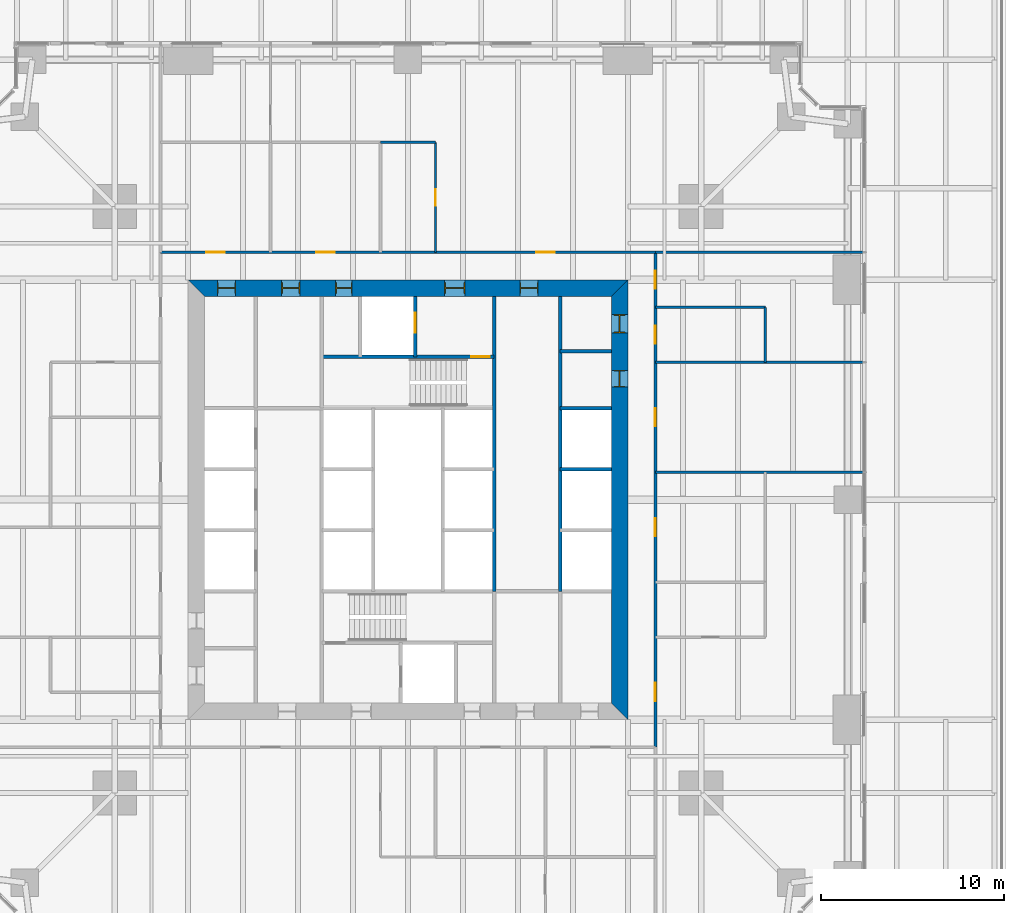
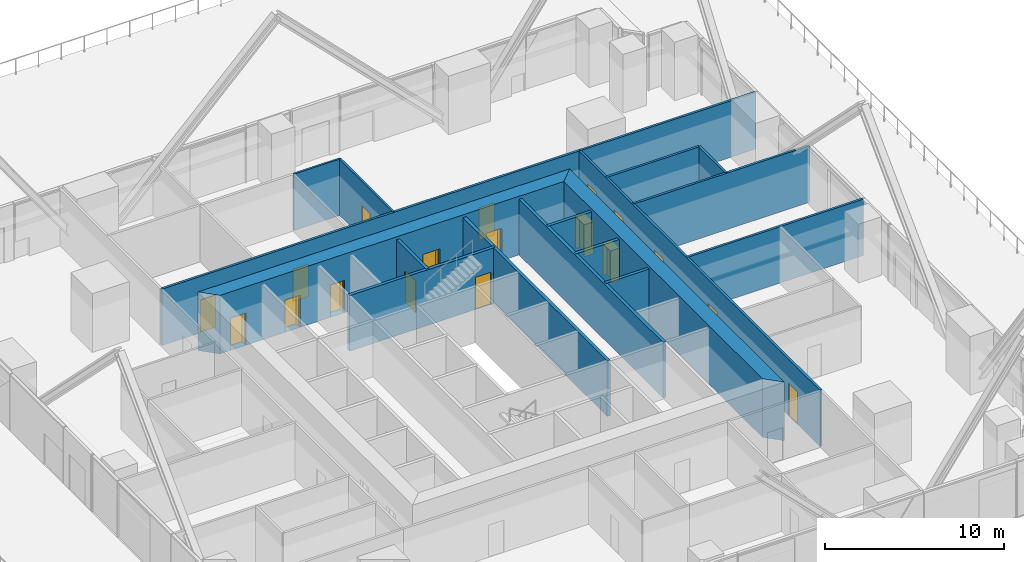
# One storey, part 17 of 21: 18 doors, 18 walls, 18 openings.
"""IFC4 building model written with IfcOpenShell, lengths in metres."""

from ifc_helpers import new_model, si_unit, direction, frame, frame_2d, origin, place, context, subcontext, project, spatial, polyline, rectangle, outline, extrude, material, layer, layer_set, type_object, element, fill, save


model = new_model("IFC4")

# Units and contexts
model_context = context("Model", 3, precision=1e-05, world=origin(), true_north=direction((0.0, 1.0)))
body_context = subcontext(model_context, "Body", "Model", "MODEL_VIEW")
ifc_project = project(units=[si_unit("LENGTHUNIT", "METRE"), si_unit("AREAUNIT", "SQUARE_METRE"), si_unit("VOLUMEUNIT", "CUBIC_METRE"), si_unit("PLANEANGLEUNIT", "RADIAN"), si_unit("MASSUNIT", "GRAM", prefix="KILO")], contexts=[model_context])

# Site, building, storey
site_placement = place(None, origin())
site = spatial("IfcSite", under=ifc_project, at=site_placement, CompositionType="ELEMENT")
building_placement = place(site_placement, origin())
building = spatial("IfcBuilding", under=site, at=building_placement, Name="Fenwick Lantern Interchange", CompositionType="ELEMENT")
storey_placement = place(building_placement, frame((0.0, 0.0, 31.0)))
storey = spatial("IfcBuildingStorey", under=building, at=storey_placement, Name="L06", CompositionType="ELEMENT", Elevation=31.0)

# Walls
ifc_material_1 = material(Name="Concrete masonry ASTM C90 Grade N", Category="masonry")
ifc_layer_1 = layer(ifc_material_1, 0.199951171875)
ifc_layer_set_1 = layer_set([ifc_layer_1], Name="Concrete masonry ASTM C90 Grade N")
wall_type_1 = type_object("IfcWallType", Name="CORE PARTITION 200", PredefinedType="PARTITIONING", material=ifc_layer_set_1)
wall_1_placement = place(storey_placement, frame((33.300048828125, 36.10009765625, 0.0), z_axis=(0.0, 0.0, 1.0), x_axis=(0.0, -1.0, 0.0)))
element("IfcWall", 1, at=wall_1_placement, inside=storey, type_object=wall_type_1, Name="L06/W/COREN/a", PredefinedType="PARTITIONING", context=body_context, shape_type="SweptSolid", body=[
    extrude(rectangle(XDim=16.10009765625, YDim=0.199951171875, at=frame_2d((8.050048828125, 0.0))), origin(), (0.0, 0.0, 1.0), 3.800048828125),
])
for number, where, z_axis, x_axis, name in (
    (2, (36.10009765625, 33.10009765625, 0.0), (0.0, 0.0, 1.0), (-1.0, 0.0, 0.0), "L06/W/COREN/c1"),
    (3, (36.10009765625, 30.0, 0.0), (0.0, 0.0, 1.0), (-1.0, 0.0, 0.0), "L06/W/COREN/c2"),
    (4, (36.10009765625, 26.666748046875, 0.0), (0.0, 0.0, 1.0), (-1.0, 0.0, 0.0), "L06/W/COREN/d1"),
):
    element("IfcWall", number, at=place(storey_placement, frame(where, z_axis=z_axis, x_axis=x_axis)), inside=storey, type_object=wall_type_1, Name=name, PredefinedType="PARTITIONING", context=body_context, shape_type="SweptSolid", body=[
        extrude(rectangle(XDim=2.800048828125, YDim=0.199951171875, at=frame_2d((1.39990234375, 0.0))), origin(), (0.0, 0.0, 1.0), 3.800048828125),
    ])

# Wall, opening, door
wall_2_placement = place(storey_placement, frame((25.39990234375, 36.10009765625, 0.0), z_axis=(0.0, 0.0, 1.0), x_axis=(0.0, -1.0, 0.0)))
wall_2 = element("IfcWall", 5, at=wall_2_placement, inside=storey, type_object=wall_type_1, Name="L06/W/COREN/h1", PredefinedType="PARTITIONING", context=body_context, shape_type="SweptSolid", body=[
    extrude(rectangle(XDim=3.300048828125, YDim=0.199951171875, at=frame_2d((1.64990234375, 0.0))), origin(), (0.0, 0.0, 1.0), 3.800048828125),
])
opening_1_placement = place(wall_2_placement, frame((0.89990234375, 0.0, 0.0)))
opening_1 = element("IfcOpeningElement", 6, at=opening_1_placement, cuts=wall_2, Name="Opening LD-FL2", PredefinedType="OPENING", context=body_context, shape_type="SweptSolid", body=[
    extrude(rectangle(XDim=1.10009765625, YDim=2.199951171875, at=frame_2d((0.550048828125, 1.10009765625))), frame((0.0, 0.10986328125, 0.0), z_axis=(0.0, -1.0, 0.0), x_axis=(1.0, 0.0, 0.0)), (0.0, 0.0, 1.0), 0.219970703125),
])
ifc_material_2 = material(Name="Steel door and frame", Category="steel")
door_type_1 = type_object("IfcDoorType", Name="LIFT LANDING DOOR 1100 X 2200", OperationType="DOUBLE_DOOR_SLIDING", PredefinedType="DOOR", material=ifc_material_2)
door_1_placement = place(opening_1_placement, origin())
door_1 = element("IfcDoor", 7, at=door_1_placement, inside=storey, type_object=door_type_1, Name="Lift landing door FL2", OperationType="DOUBLE_DOOR_SLIDING", OverallHeight=2.199951171875, OverallWidth=1.10009765625, PredefinedType="DOOR", context=body_context, shape_type="SweptSolid", body=[
    extrude(rectangle(XDim=1.10009765625, YDim=2.199951171875, at=frame_2d((0.550048828125, 1.10009765625))), frame((0.0, 0.02490234375, 0.0), z_axis=(0.0, -1.0, 0.0), x_axis=(1.0, 0.0, 0.0)), (0.0, 0.0, 1.0), 0.050048828125),
])
fill(opening_1, door_1)

# Wall, openings, doors
ifc_material_3 = material(Name="Concrete f'c 70 MPa", Category="concrete")
ifc_layer_2 = layer(ifc_material_3, 0.89990234375)
ifc_layer_set_2 = layer_set([ifc_layer_2], Name="CORE WALL 900")
wall_type_2 = type_object("IfcWallType", Name="CORE WALL 900", PredefinedType="SHEAR", material=ifc_layer_set_2)
wall_3_placement = place(storey_placement, frame((36.550048828125, 13.89990234375, 0.0), z_axis=(0.0, 0.0, 1.0), x_axis=(0.0, 1.0, 0.0)))
wall_3 = element("IfcWall", 8, at=wall_3_placement, inside=storey, type_object=wall_type_2, Name="L06/CORE/E", PredefinedType="SHEAR", context=body_context, shape_type="SweptSolid", body=[
    extrude(outline(polyline([(-0.89990234375, -0.449951171875), (23.10009765625, -0.449951171875), (22.199951171875, 0.449951171875), (0.0, 0.449951171875), (-0.89990234375, -0.449951171875)])), origin(), (0.0, 0.0, 1.0), 4.0),
])
opening_2_placement = place(wall_3_placement, frame((20.199951171875, 0.0, 0.0)))
opening_2 = element("IfcOpeningElement", 9, at=opening_2_placement, cuts=wall_3, Name="Opening L06-D015", PredefinedType="OPENING", context=body_context, shape_type="SweptSolid", body=[
    extrude(rectangle(XDim=1.0, YDim=2.199951171875, at=frame_2d((0.5, 1.10009765625))), frame((0.0, 0.4599609375, 0.0), z_axis=(0.0, -1.0, 0.0), x_axis=(1.0, 0.0, 0.0)), (0.0, 0.0, 1.0), 0.919921875),
])
opening_3_placement = place(wall_3_placement, frame((17.25, 0.0, 0.0)))
opening_3 = element("IfcOpeningElement", 10, at=opening_3_placement, cuts=wall_3, Name="Opening L06-D016", PredefinedType="OPENING", context=body_context, shape_type="SweptSolid", body=[
    extrude(rectangle(XDim=0.89990234375, YDim=2.199951171875, at=frame_2d((0.449951171875, 1.10009765625))), frame((0.0, 0.4599609375, 0.0), z_axis=(0.0, -1.0, 0.0), x_axis=(1.0, 0.0, 0.0)), (0.0, 0.0, 1.0), 0.919921875),
])
door_type_2 = type_object("IfcDoorType", Name="SERVICE DOOR 900 X 2200", OperationType="SINGLE_SWING_LEFT", PredefinedType="DOOR", material=ifc_material_2)
door_2_placement = place(opening_3_placement, origin())
door_2 = element("IfcDoor", 11, at=door_2_placement, inside=storey, type_object=door_type_2, Name="Service door", OperationType="SINGLE_SWING_RIGHT", OverallHeight=2.199951171875, OverallWidth=0.89990234375, PredefinedType="DOOR", context=body_context, shape_type="SweptSolid", body=[
    extrude(rectangle(XDim=0.89990234375, YDim=2.199951171875, at=frame_2d((0.449951171875, 1.10009765625))), frame((0.0, 0.02490234375, 0.0), z_axis=(0.0, -1.0, 0.0), x_axis=(1.0, 0.0, 0.0)), (0.0, 0.0, 1.0), 0.050048828125),
    extrude(outline(polyline([(0.0, 0.0), (0.0400390625, 0.0), (0.0400390625, 2.159912109375), (0.85986328125, 2.159912109375), (0.85986328125, 0.0), (0.89990234375, 0.0), (0.89990234375, 2.199951171875), (0.0, 2.199951171875), (0.0, 0.0)])), frame((0.0, 0.300048828125, 0.0), z_axis=(0.0, -1.0, 0.0), x_axis=(1.0, 0.0, 0.0)), (0.0, 0.0, 1.0), 0.60009765625),
])
fill(opening_3, door_2)
ifc_material_4 = material(Name="Hardwood door and steel frame", Category="steel")
door_type_3 = type_object("IfcDoorType", Name="WC DOOR 1000 X 2200", OperationType="SINGLE_SWING_LEFT", PredefinedType="DOOR", material=ifc_material_4)
door_3_placement = place(opening_2_placement, origin())
door_3 = element("IfcDoor", 12, at=door_3_placement, inside=storey, type_object=door_type_3, Name="Wc door", OperationType="SINGLE_SWING_LEFT", OverallHeight=2.199951171875, OverallWidth=1.0, PredefinedType="DOOR", context=body_context, shape_type="SweptSolid", body=[
    extrude(rectangle(XDim=1.0, YDim=2.199951171875, at=frame_2d((0.5, 1.10009765625))), frame((0.0, 0.02490234375, 0.0), z_axis=(0.0, -1.0, 0.0), x_axis=(1.0, 0.0, 0.0)), (0.0, 0.0, 1.0), 0.050048828125),
    extrude(outline(polyline([(0.0, 0.0), (0.0400390625, 0.0), (0.0400390625, 2.159912109375), (0.9599609375, 2.159912109375), (0.9599609375, 0.0), (1.0, 0.0), (1.0, 2.199951171875), (0.0, 2.199951171875), (0.0, 0.0)])), frame((0.0, 0.300048828125, 0.0), z_axis=(0.0, -1.0, 0.0), x_axis=(1.0, 0.0, 0.0)), (0.0, 0.0, 1.0), 0.60009765625),
])
fill(opening_2, door_3)

wall_4_placement = place(storey_placement, frame((37.0, 36.550048828125, 0.0), z_axis=(0.0, 0.0, 1.0), x_axis=(-1.0, 0.0, 0.0)))
wall_4 = element("IfcWall", 13, at=wall_4_placement, inside=storey, type_object=wall_type_2, Name="L06/CORE/N", PredefinedType="SHEAR", context=body_context, shape_type="SweptSolid", body=[
    extrude(outline(polyline([(0.0, -0.449951171875), (24.0, -0.449951171875), (23.10009765625, 0.449951171875), (0.89990234375, 0.449951171875), (0.0, -0.449951171875)])), origin(), (0.0, 0.0, 1.0), 4.0),
])
opening_4_placement = place(wall_4_placement, frame((4.89990234375, 0.0, 0.0)))
opening_4 = element("IfcOpeningElement", 14, at=opening_4_placement, cuts=wall_4, Name="Opening L06-D014", PredefinedType="OPENING", context=body_context, shape_type="SweptSolid", body=[
    extrude(rectangle(XDim=1.0, YDim=2.199951171875, at=frame_2d((0.5, 1.10009765625))), frame((0.0, 0.4599609375, 0.0), z_axis=(0.0, -1.0, 0.0), x_axis=(1.0, 0.0, 0.0)), (0.0, 0.0, 1.0), 0.919921875),
])
opening_5_placement = place(wall_4_placement, frame((8.89990234375, 0.0, 0.0)))
opening_5 = element("IfcOpeningElement", 15, at=opening_5_placement, cuts=wall_4, Name="Opening L06-D017", PredefinedType="OPENING", context=body_context, shape_type="SweptSolid", body=[
    extrude(rectangle(XDim=1.10009765625, YDim=2.199951171875, at=frame_2d((0.550048828125, 1.10009765625))), frame((0.0, 0.4599609375, 0.0), z_axis=(0.0, -1.0, 0.0), x_axis=(1.0, 0.0, 0.0)), (0.0, 0.0, 1.0), 0.919921875),
])
opening_6_placement = place(wall_4_placement, frame((15.050048828125, 0.0, 0.0)))
opening_6 = element("IfcOpeningElement", 16, at=opening_6_placement, cuts=wall_4, Name="Opening L06-D019", PredefinedType="OPENING", context=body_context, shape_type="SweptSolid", body=[
    extrude(rectangle(XDim=0.89990234375, YDim=2.199951171875, at=frame_2d((0.449951171875, 1.10009765625))), frame((0.0, 0.4599609375, 0.0), z_axis=(0.0, -1.0, 0.0), x_axis=(1.0, 0.0, 0.0)), (0.0, 0.0, 1.0), 0.919921875),
])
opening_7_placement = place(wall_4_placement, frame((17.89990234375, 0.0, 0.0)))
opening_7 = element("IfcOpeningElement", 17, at=opening_7_placement, cuts=wall_4, Name="Opening L06-D020", PredefinedType="OPENING", context=body_context, shape_type="SweptSolid", body=[
    extrude(rectangle(XDim=1.0, YDim=2.199951171875, at=frame_2d((0.5, 1.10009765625))), frame((0.0, 0.4599609375, 0.0), z_axis=(0.0, -1.0, 0.0), x_axis=(1.0, 0.0, 0.0)), (0.0, 0.0, 1.0), 0.919921875),
])
opening_8_placement = place(wall_4_placement, frame((21.39990234375, 0.0, 0.0)))
opening_8 = element("IfcOpeningElement", 18, at=opening_8_placement, cuts=wall_4, Name="Opening L06-D021", PredefinedType="OPENING", context=body_context, shape_type="SweptSolid", body=[
    extrude(rectangle(XDim=1.0, YDim=2.199951171875, at=frame_2d((0.5, 1.10009765625))), frame((0.0, 0.4599609375, 0.0), z_axis=(0.0, -1.0, 0.0), x_axis=(1.0, 0.0, 0.0)), (0.0, 0.0, 1.0), 0.919921875),
])
door_type_4 = type_object("IfcDoorType", Name="CORE LOBBY DOOR 1000 X 2200", OperationType="SINGLE_SWING_LEFT", PredefinedType="DOOR", material=ifc_material_2)
door_4_placement = place(opening_4_placement, origin())
door_4 = element("IfcDoor", 19, at=door_4_placement, inside=storey, type_object=door_type_4, Name="Core lobby door", OperationType="SINGLE_SWING_LEFT", OverallHeight=2.199951171875, OverallWidth=1.0, PredefinedType="DOOR", context=body_context, shape_type="SweptSolid", body=[
    extrude(rectangle(XDim=1.0, YDim=2.199951171875, at=frame_2d((0.5, 1.10009765625))), frame((0.0, 0.02490234375, 0.0), z_axis=(0.0, -1.0, 0.0), x_axis=(1.0, 0.0, 0.0)), (0.0, 0.0, 1.0), 0.050048828125),
    extrude(outline(polyline([(0.0, 0.0), (0.0400390625, 0.0), (0.0400390625, 2.159912109375), (0.9599609375, 2.159912109375), (0.9599609375, 0.0), (1.0, 0.0), (1.0, 2.199951171875), (0.0, 2.199951171875), (0.0, 0.0)])), frame((0.0, 0.300048828125, 0.0), z_axis=(0.0, -1.0, 0.0), x_axis=(1.0, 0.0, 0.0)), (0.0, 0.0, 1.0), 0.60009765625),
])
fill(opening_4, door_4)
door_type_5 = type_object("IfcDoorType", Name="FIRE LOBBY DOOR 1100 X 2200", OperationType="SINGLE_SWING_LEFT", PredefinedType="DOOR", material=ifc_material_2)
door_5_placement = place(opening_5_placement, origin())
door_5 = element("IfcDoor", 20, at=door_5_placement, inside=storey, type_object=door_type_5, Name="Fire lobby door", OperationType="SINGLE_SWING_LEFT", OverallHeight=2.199951171875, OverallWidth=1.10009765625, PredefinedType="DOOR", context=body_context, shape_type="SweptSolid", body=[
    extrude(rectangle(XDim=1.10009765625, YDim=2.199951171875, at=frame_2d((0.550048828125, 1.10009765625))), frame((0.0, 0.02490234375, 0.0), z_axis=(0.0, -1.0, 0.0), x_axis=(1.0, 0.0, 0.0)), (0.0, 0.0, 1.0), 0.050048828125),
    extrude(outline(polyline([(0.0, 0.0), (0.0400390625, 0.0), (0.0400390625, 2.159912109375), (1.06005859375, 2.159912109375), (1.06005859375, 0.0), (1.10009765625, 0.0), (1.10009765625, 2.199951171875), (0.0, 2.199951171875), (0.0, 0.0)])), frame((0.0, 0.300048828125, 0.0), z_axis=(0.0, -1.0, 0.0), x_axis=(1.0, 0.0, 0.0)), (0.0, 0.0, 1.0), 0.60009765625),
])
fill(opening_5, door_5)
door_6_placement = place(opening_6_placement, origin())
door_6 = element("IfcDoor", 21, at=door_6_placement, inside=storey, type_object=door_type_2, Name="Service door", OperationType="SINGLE_SWING_LEFT", OverallHeight=2.199951171875, OverallWidth=0.89990234375, PredefinedType="DOOR", context=body_context, shape_type="SweptSolid", body=[
    extrude(rectangle(XDim=0.89990234375, YDim=2.199951171875, at=frame_2d((0.449951171875, 1.10009765625))), frame((0.0, 0.02490234375, 0.0), z_axis=(0.0, -1.0, 0.0), x_axis=(1.0, 0.0, 0.0)), (0.0, 0.0, 1.0), 0.050048828125),
    extrude(outline(polyline([(0.0, 0.0), (0.0400390625, 0.0), (0.0400390625, 2.159912109375), (0.85986328125, 2.159912109375), (0.85986328125, 0.0), (0.89990234375, 0.0), (0.89990234375, 2.199951171875), (0.0, 2.199951171875), (0.0, 0.0)])), frame((0.0, 0.300048828125, 0.0), z_axis=(0.0, -1.0, 0.0), x_axis=(1.0, 0.0, 0.0)), (0.0, 0.0, 1.0), 0.60009765625),
])
fill(opening_6, door_6)
door_7_placement = place(opening_7_placement, origin())
door_7 = element("IfcDoor", 22, at=door_7_placement, inside=storey, type_object=door_type_3, Name="Wc door", OperationType="SINGLE_SWING_LEFT", OverallHeight=2.199951171875, OverallWidth=1.0, PredefinedType="DOOR", context=body_context, shape_type="SweptSolid", body=[
    extrude(rectangle(XDim=1.0, YDim=2.199951171875, at=frame_2d((0.5, 1.10009765625))), frame((0.0, 0.02490234375, 0.0), z_axis=(0.0, -1.0, 0.0), x_axis=(1.0, 0.0, 0.0)), (0.0, 0.0, 1.0), 0.050048828125),
    extrude(outline(polyline([(0.0, 0.0), (0.0400390625, 0.0), (0.0400390625, 2.159912109375), (0.9599609375, 2.159912109375), (0.9599609375, 0.0), (1.0, 0.0), (1.0, 2.199951171875), (0.0, 2.199951171875), (0.0, 0.0)])), frame((0.0, 0.300048828125, 0.0), z_axis=(0.0, -1.0, 0.0), x_axis=(1.0, 0.0, 0.0)), (0.0, 0.0, 1.0), 0.60009765625),
])
fill(opening_7, door_7)
door_8_placement = place(opening_8_placement, origin())
door_8 = element("IfcDoor", 23, at=door_8_placement, inside=storey, type_object=door_type_3, Name="Wc door", OperationType="SINGLE_SWING_RIGHT", OverallHeight=2.199951171875, OverallWidth=1.0, PredefinedType="DOOR", context=body_context, shape_type="SweptSolid", body=[
    extrude(rectangle(XDim=1.0, YDim=2.199951171875, at=frame_2d((0.5, 1.10009765625))), frame((0.0, 0.02490234375, 0.0), z_axis=(0.0, -1.0, 0.0), x_axis=(1.0, 0.0, 0.0)), (0.0, 0.0, 1.0), 0.050048828125),
    extrude(outline(polyline([(0.0, 0.0), (0.0400390625, 0.0), (0.0400390625, 2.159912109375), (0.9599609375, 2.159912109375), (0.9599609375, 0.0), (1.0, 0.0), (1.0, 2.199951171875), (0.0, 2.199951171875), (0.0, 0.0)])), frame((0.0, 0.300048828125, 0.0), z_axis=(0.0, -1.0, 0.0), x_axis=(1.0, 0.0, 0.0)), (0.0, 0.0, 1.0), 0.60009765625),
])
fill(opening_8, door_8)

ifc_material_5 = material(Name="Gypsum board on steel studs, 1 hour", Category="steel")
ifc_layer_3 = layer(ifc_material_5, 0.14990234375)
ifc_layer_set_3 = layer_set([ifc_layer_3], Name="CORRIDOR WALL 150")
wall_type_3 = type_object("IfcWallType", Name="CORRIDOR WALL 150", PredefinedType="PARTITIONING", material=ifc_layer_set_3)
wall_5_placement = place(storey_placement, frame((38.5, 11.5, 0.0), z_axis=(0.0, 0.0, 1.0), x_axis=(0.0, 1.0, 0.0)))
wall_5 = element("IfcWall", 24, at=wall_5_placement, inside=storey, type_object=wall_type_3, Name="L06/W/OFF/E/CW", PredefinedType="PARTITIONING", context=body_context, shape_type="SweptSolid", body=[
    extrude(rectangle(XDim=27.0, YDim=0.14990234375, at=frame_2d((13.5, 0.0))), origin(), (0.0, 0.0, 1.0), 3.85009765625),
])
opening_9_placement = place(wall_5_placement, frame((2.5, 0.0, 0.0)))
opening_9 = element("IfcOpeningElement", 25, at=opening_9_placement, cuts=wall_5, Name="Opening L06-D027", PredefinedType="OPENING", context=body_context, shape_type="SweptSolid", body=[
    extrude(rectangle(XDim=1.0, YDim=2.199951171875, at=frame_2d((0.5, 1.10009765625))), frame((0.0, 0.0849609375, 0.0), z_axis=(0.0, -1.0, 0.0), x_axis=(1.0, 0.0, 0.0)), (0.0, 0.0, 1.0), 0.169921875),
])
opening_10_placement = place(wall_5_placement, frame((11.5, 0.0, 0.0)))
opening_10 = element("IfcOpeningElement", 26, at=opening_10_placement, cuts=wall_5, Name="Opening L06-D029", PredefinedType="OPENING", context=body_context, shape_type="SweptSolid", body=[
    extrude(rectangle(XDim=1.0, YDim=2.199951171875, at=frame_2d((0.5, 1.10009765625))), frame((0.0, 0.0849609375, 0.0), z_axis=(0.0, -1.0, 0.0), x_axis=(1.0, 0.0, 0.0)), (0.0, 0.0, 1.0), 0.169921875),
])
opening_11_placement = place(wall_5_placement, frame((17.5, 0.0, 0.0)))
opening_11 = element("IfcOpeningElement", 27, at=opening_11_placement, cuts=wall_5, Name="Opening L06-D030", PredefinedType="OPENING", context=body_context, shape_type="SweptSolid", body=[
    extrude(rectangle(XDim=1.0, YDim=2.199951171875, at=frame_2d((0.5, 1.10009765625))), frame((0.0, 0.0849609375, 0.0), z_axis=(0.0, -1.0, 0.0), x_axis=(1.0, 0.0, 0.0)), (0.0, 0.0, 1.0), 0.169921875),
])
opening_12_placement = place(wall_5_placement, frame((22.0, 0.0, 0.0)))
opening_12 = element("IfcOpeningElement", 28, at=opening_12_placement, cuts=wall_5, Name="Opening L06-D031", PredefinedType="OPENING", context=body_context, shape_type="SweptSolid", body=[
    extrude(rectangle(XDim=1.0, YDim=2.199951171875, at=frame_2d((0.5, 1.10009765625))), frame((0.0, 0.0849609375, 0.0), z_axis=(0.0, -1.0, 0.0), x_axis=(1.0, 0.0, 0.0)), (0.0, 0.0, 1.0), 0.169921875),
])
opening_13_placement = place(wall_5_placement, frame((25.0, 0.0, 0.0)))
opening_13 = element("IfcOpeningElement", 29, at=opening_13_placement, cuts=wall_5, Name="Opening L06-D032", PredefinedType="OPENING", context=body_context, shape_type="SweptSolid", body=[
    extrude(rectangle(XDim=1.0, YDim=2.199951171875, at=frame_2d((0.5, 1.10009765625))), frame((0.0, 0.0849609375, 0.0), z_axis=(0.0, -1.0, 0.0), x_axis=(1.0, 0.0, 0.0)), (0.0, 0.0, 1.0), 0.169921875),
])
door_type_6 = type_object("IfcDoorType", Name="SUITE ENTRANCE DOOR 1000 X 2200", OperationType="SINGLE_SWING_LEFT", PredefinedType="DOOR", material=ifc_material_2)
door_9_placement = place(opening_9_placement, frame((1.0, 0.0, 0.0), z_axis=(0.0, 0.0, 1.0), x_axis=(-1.0, 0.0, 0.0)))
door_9 = element("IfcDoor", 30, at=door_9_placement, inside=storey, type_object=door_type_6, Name="Suite entrance door", OperationType="SINGLE_SWING_LEFT", OverallHeight=2.199951171875, OverallWidth=1.0, PredefinedType="DOOR", context=body_context, shape_type="SweptSolid", body=[
    extrude(rectangle(XDim=1.0, YDim=2.199951171875, at=frame_2d((0.5, 1.10009765625))), frame((0.0, 0.02490234375, 0.0), z_axis=(0.0, -1.0, 0.0), x_axis=(1.0, 0.0, 0.0)), (0.0, 0.0, 1.0), 0.050048828125),
])
fill(opening_9, door_9)
door_10_placement = place(opening_10_placement, frame((1.0, 0.0, 0.0), z_axis=(0.0, 0.0, 1.0), x_axis=(-1.0, 0.0, 0.0)))
door_10 = element("IfcDoor", 31, at=door_10_placement, inside=storey, type_object=door_type_6, Name="Suite entrance door", OperationType="SINGLE_SWING_RIGHT", OverallHeight=2.199951171875, OverallWidth=1.0, PredefinedType="DOOR", context=body_context, shape_type="SweptSolid", body=[
    extrude(rectangle(XDim=1.0, YDim=2.199951171875, at=frame_2d((0.5, 1.10009765625))), frame((0.0, 0.02490234375, 0.0), z_axis=(0.0, -1.0, 0.0), x_axis=(1.0, 0.0, 0.0)), (0.0, 0.0, 1.0), 0.050048828125),
])
fill(opening_10, door_10)
door_11_placement = place(opening_11_placement, frame((1.0, 0.0, 0.0), z_axis=(0.0, 0.0, 1.0), x_axis=(-1.0, 0.0, 0.0)))
door_11 = element("IfcDoor", 32, at=door_11_placement, inside=storey, type_object=door_type_6, Name="Suite entrance door", OperationType="SINGLE_SWING_RIGHT", OverallHeight=2.199951171875, OverallWidth=1.0, PredefinedType="DOOR", context=body_context, shape_type="SweptSolid", body=[
    extrude(rectangle(XDim=1.0, YDim=2.199951171875, at=frame_2d((0.5, 1.10009765625))), frame((0.0, 0.02490234375, 0.0), z_axis=(0.0, -1.0, 0.0), x_axis=(1.0, 0.0, 0.0)), (0.0, 0.0, 1.0), 0.050048828125),
])
fill(opening_11, door_11)
door_12_placement = place(opening_12_placement, frame((1.0, 0.0, 0.0), z_axis=(0.0, 0.0, 1.0), x_axis=(-1.0, 0.0, 0.0)))
door_12 = element("IfcDoor", 33, at=door_12_placement, inside=storey, type_object=door_type_6, Name="Suite entrance door", OperationType="SINGLE_SWING_RIGHT", OverallHeight=2.199951171875, OverallWidth=1.0, PredefinedType="DOOR", context=body_context, shape_type="SweptSolid", body=[
    extrude(rectangle(XDim=1.0, YDim=2.199951171875, at=frame_2d((0.5, 1.10009765625))), frame((0.0, 0.02490234375, 0.0), z_axis=(0.0, -1.0, 0.0), x_axis=(1.0, 0.0, 0.0)), (0.0, 0.0, 1.0), 0.050048828125),
])
fill(opening_12, door_12)
door_13_placement = place(opening_13_placement, frame((1.0, 0.0, 0.0), z_axis=(0.0, 0.0, 1.0), x_axis=(-1.0, 0.0, 0.0)))
door_13 = element("IfcDoor", 34, at=door_13_placement, inside=storey, type_object=door_type_6, Name="Suite entrance door", OperationType="SINGLE_SWING_RIGHT", OverallHeight=2.199951171875, OverallWidth=1.0, PredefinedType="DOOR", context=body_context, shape_type="SweptSolid", body=[
    extrude(rectangle(XDim=1.0, YDim=2.199951171875, at=frame_2d((0.5, 1.10009765625))), frame((0.0, 0.02490234375, 0.0), z_axis=(0.0, -1.0, 0.0), x_axis=(1.0, 0.0, 0.0)), (0.0, 0.0, 1.0), 0.050048828125),
])
fill(opening_13, door_13)

wall_6_placement = place(storey_placement, frame((38.5, 38.5, 0.0), z_axis=(0.0, 0.0, 1.0), x_axis=(-1.0, 0.0, 0.0)))
wall_6 = element("IfcWall", 35, at=wall_6_placement, inside=storey, type_object=wall_type_3, Name="L06/W/OFF/N/CW", PredefinedType="PARTITIONING", context=body_context, shape_type="SweptSolid", body=[
    extrude(rectangle(XDim=27.0, YDim=0.14990234375, at=frame_2d((13.5, 0.0))), origin(), (0.0, 0.0, 1.0), 3.85009765625),
])
opening_14_placement = place(wall_6_placement, frame((5.5, 0.0, 0.0)))
opening_14 = element("IfcOpeningElement", 36, at=opening_14_placement, cuts=wall_6, Name="Opening L06-D033", PredefinedType="OPENING", context=body_context, shape_type="SweptSolid", body=[
    extrude(rectangle(XDim=1.0, YDim=2.199951171875, at=frame_2d((0.5, 1.10009765625))), frame((0.0, 0.0849609375, 0.0), z_axis=(0.0, -1.0, 0.0), x_axis=(1.0, 0.0, 0.0)), (0.0, 0.0, 1.0), 0.169921875),
])
opening_15_placement = place(wall_6_placement, frame((17.5, 0.0, 0.0)))
opening_15 = element("IfcOpeningElement", 37, at=opening_15_placement, cuts=wall_6, Name="Opening L06-D036", PredefinedType="OPENING", context=body_context, shape_type="SweptSolid", body=[
    extrude(rectangle(XDim=1.0, YDim=2.199951171875, at=frame_2d((0.5, 1.10009765625))), frame((0.0, 0.0849609375, 0.0), z_axis=(0.0, -1.0, 0.0), x_axis=(1.0, 0.0, 0.0)), (0.0, 0.0, 1.0), 0.169921875),
])
opening_16_placement = place(wall_6_placement, frame((23.5, 0.0, 0.0)))
opening_16 = element("IfcOpeningElement", 38, at=opening_16_placement, cuts=wall_6, Name="Opening L06-D037", PredefinedType="OPENING", context=body_context, shape_type="SweptSolid", body=[
    extrude(rectangle(XDim=1.0, YDim=2.199951171875, at=frame_2d((0.5, 1.10009765625))), frame((0.0, 0.0849609375, 0.0), z_axis=(0.0, -1.0, 0.0), x_axis=(1.0, 0.0, 0.0)), (0.0, 0.0, 1.0), 0.169921875),
])
door_14_placement = place(opening_14_placement, frame((1.0, 0.0, 0.0), z_axis=(0.0, 0.0, 1.0), x_axis=(-1.0, 0.0, 0.0)))
door_14 = element("IfcDoor", 39, at=door_14_placement, inside=storey, type_object=door_type_6, Name="Suite entrance door", OperationType="SINGLE_SWING_LEFT", OverallHeight=2.199951171875, OverallWidth=1.0, PredefinedType="DOOR", context=body_context, shape_type="SweptSolid", body=[
    extrude(rectangle(XDim=1.0, YDim=2.199951171875, at=frame_2d((0.5, 1.10009765625))), frame((0.0, 0.02490234375, 0.0), z_axis=(0.0, -1.0, 0.0), x_axis=(1.0, 0.0, 0.0)), (0.0, 0.0, 1.0), 0.050048828125),
])
fill(opening_14, door_14)
door_15_placement = place(opening_15_placement, frame((1.0, 0.0, 0.0), z_axis=(0.0, 0.0, 1.0), x_axis=(-1.0, 0.0, 0.0)))
door_15 = element("IfcDoor", 40, at=door_15_placement, inside=storey, type_object=door_type_6, Name="Suite entrance door", OperationType="SINGLE_SWING_RIGHT", OverallHeight=2.199951171875, OverallWidth=1.0, PredefinedType="DOOR", context=body_context, shape_type="SweptSolid", body=[
    extrude(rectangle(XDim=1.0, YDim=2.199951171875, at=frame_2d((0.5, 1.10009765625))), frame((0.0, 0.02490234375, 0.0), z_axis=(0.0, -1.0, 0.0), x_axis=(1.0, 0.0, 0.0)), (0.0, 0.0, 1.0), 0.050048828125),
])
fill(opening_15, door_15)
door_16_placement = place(opening_16_placement, frame((1.0, 0.0, 0.0), z_axis=(0.0, 0.0, 1.0), x_axis=(-1.0, 0.0, 0.0)))
door_16 = element("IfcDoor", 41, at=door_16_placement, inside=storey, type_object=door_type_6, Name="Suite entrance door", OperationType="SINGLE_SWING_RIGHT", OverallHeight=2.199951171875, OverallWidth=1.0, PredefinedType="DOOR", context=body_context, shape_type="SweptSolid", body=[
    extrude(rectangle(XDim=1.0, YDim=2.199951171875, at=frame_2d((0.5, 1.10009765625))), frame((0.0, 0.02490234375, 0.0), z_axis=(0.0, -1.0, 0.0), x_axis=(1.0, 0.0, 0.0)), (0.0, 0.0, 1.0), 0.050048828125),
])
fill(opening_16, door_16)

# Wall, opening, door
ifc_material_6 = material(Name="Gypsum board on steel studs, acoustic", Category="steel")
ifc_layer_4 = layer(ifc_material_6, 0.125)
ifc_layer_set_4 = layer_set([ifc_layer_4], Name="OFFICE PARTITION 125")
wall_type_4 = type_object("IfcWallType", Name="OFFICE PARTITION 125", PredefinedType="PARTITIONING", material=ifc_layer_set_4)
wall_7_placement = place(storey_placement, frame((26.5, 44.5, 0.0), z_axis=(0.0, 0.0, 1.0), x_axis=(0.0, -1.0, 0.0)))
wall_7 = element("IfcWall", 42, at=wall_7_placement, inside=storey, type_object=wall_type_4, Name="L06/W/OFF/N/X235-1", PredefinedType="PARTITIONING", context=body_context, shape_type="SweptSolid", body=[
    extrude(rectangle(XDim=6.0, YDim=0.125, at=frame_2d((3.0, 0.0))), origin(), (0.0, 0.0, 1.0), 3.85009765625),
])
opening_17_placement = place(wall_7_placement, frame((2.550048828125, 0.0, 0.0)))
opening_17 = element("IfcOpeningElement", 43, at=opening_17_placement, cuts=wall_7, Name="Opening L06-D034", PredefinedType="OPENING", context=body_context, shape_type="SweptSolid", body=[
    extrude(rectangle(XDim=0.89990234375, YDim=2.199951171875, at=frame_2d((0.449951171875, 1.10009765625))), frame((0.0, 0.072509765625, 0.0), z_axis=(0.0, -1.0, 0.0), x_axis=(1.0, 0.0, 0.0)), (0.0, 0.0, 1.0), 0.14501953125),
])
door_type_7 = type_object("IfcDoorType", Name="OFFICE DOOR 900 X 2200", OperationType="SINGLE_SWING_LEFT", PredefinedType="DOOR", material=ifc_material_4)
door_17_placement = place(opening_17_placement, frame((0.89990234375, 0.0, 0.0), z_axis=(0.0, 0.0, 1.0), x_axis=(-1.0, 0.0, 0.0)))
door_17 = element("IfcDoor", 44, at=door_17_placement, inside=storey, type_object=door_type_7, Name="Office door", OperationType="SINGLE_SWING_RIGHT", OverallHeight=2.199951171875, OverallWidth=0.89990234375, PredefinedType="DOOR", context=body_context, shape_type="SweptSolid", body=[
    extrude(rectangle(XDim=0.89990234375, YDim=2.199951171875, at=frame_2d((0.449951171875, 1.10009765625))), frame((0.0, 0.02490234375, 0.0), z_axis=(0.0, -1.0, 0.0), x_axis=(1.0, 0.0, 0.0)), (0.0, 0.0, 1.0), 0.050048828125),
])
fill(opening_17, door_17)

# Walls
wall_8_placement = place(storey_placement, frame((26.5, 44.5, 0.0), z_axis=(0.0, 0.0, 1.0), x_axis=(-1.0, 0.0, 0.0)))
element("IfcWall", 45, at=wall_8_placement, inside=storey, type_object=wall_type_4, Name="L06/W/OFF/N/Y55-1", PredefinedType="PARTITIONING", context=body_context, shape_type="SweptSolid", body=[
    extrude(rectangle(XDim=3.0, YDim=0.125, at=frame_2d((1.5, 0.0))), origin(), (0.0, 0.0, 1.0), 3.85009765625),
])
ifc_material_7 = material(Name="Concrete f'c 45 MPa", Category="concrete")
ifc_layer_5 = layer(ifc_material_7, 0.199951171875)
ifc_layer_set_5 = layer_set([ifc_layer_5], Name="STAIR CORE WALL 200")
wall_type_5 = type_object("IfcWallType", Name="STAIR CORE WALL 200", PredefinedType="SOLIDWALL", material=ifc_layer_set_5)
wall_9_placement = place(storey_placement, frame((29.699951171875, 36.10009765625, 0.0), z_axis=(0.0, 0.0, 1.0), x_axis=(0.0, -1.0, 0.0)))
element("IfcWall", 46, at=wall_9_placement, inside=storey, type_object=wall_type_5, Name="L06/W/COREN/b", PredefinedType="SOLIDWALL", context=body_context, shape_type="SweptSolid", body=[
    extrude(rectangle(XDim=16.10009765625, YDim=0.199951171875, at=frame_2d((8.050048828125, 0.0))), origin(), (0.0, 0.0, 1.0), 3.800048828125),
])

# Wall, opening, door
wall_10_placement = place(storey_placement, frame((29.699951171875, 32.800048828125, 0.0), z_axis=(0.0, 0.0, 1.0), x_axis=(-1.0, 0.0, 0.0)))
wall_10 = element("IfcWall", 47, at=wall_10_placement, inside=storey, type_object=wall_type_5, Name="L06/W/COREN/g1", PredefinedType="SOLIDWALL", context=body_context, shape_type="SweptSolid", body=[
    extrude(rectangle(XDim=9.39990234375, YDim=0.199951171875, at=frame_2d((4.699951171875, 0.0))), origin(), (0.0, 0.0, 1.0), 3.800048828125),
])
opening_18_placement = place(wall_10_placement, frame((0.25, 0.0, 0.0)))
opening_18 = element("IfcOpeningElement", 48, at=opening_18_placement, cuts=wall_10, Name="Opening L06-D018", PredefinedType="OPENING", context=body_context, shape_type="SweptSolid", body=[
    extrude(rectangle(XDim=1.0, YDim=2.199951171875, at=frame_2d((0.5, 1.10009765625))), frame((0.0, 0.10986328125, 0.0), z_axis=(0.0, -1.0, 0.0), x_axis=(1.0, 0.0, 0.0)), (0.0, 0.0, 1.0), 0.219970703125),
])
door_type_8 = type_object("IfcDoorType", Name="STAIR DOOR 1000 X 2200", OperationType="SINGLE_SWING_LEFT", PredefinedType="DOOR", material=ifc_material_2)
door_18_placement = place(opening_18_placement, origin())
door_18 = element("IfcDoor", 49, at=door_18_placement, inside=storey, type_object=door_type_8, Name="Stair door", OperationType="SINGLE_SWING_LEFT", OverallHeight=2.199951171875, OverallWidth=1.0, PredefinedType="DOOR", context=body_context, shape_type="SweptSolid", body=[
    extrude(rectangle(XDim=1.0, YDim=2.199951171875, at=frame_2d((0.5, 1.10009765625))), frame((0.0, 0.02490234375, 0.0), z_axis=(0.0, -1.0, 0.0), x_axis=(1.0, 0.0, 0.0)), (0.0, 0.0, 1.0), 0.050048828125),
])
fill(opening_18, door_18)

# Walls
ifc_material_8 = material(Name="Gypsum board on steel studs, 1 hour acoustic", Category="steel")
ifc_layer_6 = layer(ifc_material_8, 0.14990234375)
ifc_layer_set_6 = layer_set([ifc_layer_6], Name="TENANT WALL 150")
wall_type_6 = type_object("IfcWallType", Name="TENANT WALL 150", PredefinedType="PARTITIONING", material=ifc_layer_set_6)
for number, where, z_axis, x_axis, name in (
    (50, (49.85009765625, 26.5, 0.0), (0.0, 0.0, 1.0), (-1.0, 0.0, 0.0), "L06/W/OFF/E/X265-1"),
    (51, (49.85009765625, 32.5, 0.0), (0.0, 0.0, 1.0), (-1.0, 0.0, 0.0), "L06/W/OFF/E/X325-1"),
):
    element("IfcWall", number, at=place(storey_placement, frame(where, z_axis=z_axis, x_axis=x_axis)), inside=storey, type_object=wall_type_6, Name=name, PredefinedType="PARTITIONING", context=body_context, shape_type="SweptSolid", body=[
        extrude(rectangle(XDim=11.35009765625, YDim=0.14990234375, at=frame_2d((5.675048828125, 0.0))), origin(), (0.0, 0.0, 1.0), 3.85009765625),
    ])
wall_11_placement = place(storey_placement, frame((44.5, 35.5, 0.0), z_axis=(0.0, 0.0, 1.0), x_axis=(-1.0, 0.0, 0.0)))
element("IfcWall", 52, at=wall_11_placement, inside=storey, type_object=wall_type_6, Name="L06/W/OFF/E/X355-1", PredefinedType="PARTITIONING", context=body_context, shape_type="SweptSolid", body=[
    extrude(rectangle(XDim=6.0, YDim=0.14990234375, at=frame_2d((3.0, 0.0))), origin(), (0.0, 0.0, 1.0), 3.85009765625),
])
wall_12_placement = place(storey_placement, frame((44.5, 32.5, 0.0), z_axis=(0.0, 0.0, 1.0), x_axis=(0.0, 1.0, 0.0)))
element("IfcWall", 53, at=wall_12_placement, inside=storey, type_object=wall_type_6, Name="L06/W/OFF/E/Y55-3", PredefinedType="PARTITIONING", context=body_context, shape_type="SweptSolid", body=[
    extrude(rectangle(XDim=3.0, YDim=0.14990234375, at=frame_2d((1.5, 0.0))), origin(), (0.0, 0.0, 1.0), 3.85009765625),
])
wall_13_placement = place(storey_placement, frame((49.85009765625, 38.5, 0.0), z_axis=(0.0, 0.0, 1.0), x_axis=(-1.0, 0.0, 0.0)))
element("IfcWall", 54, at=wall_13_placement, inside=storey, type_object=wall_type_6, Name="L06/W/OFF/N/BACK", PredefinedType="PARTITIONING", context=body_context, shape_type="SweptSolid", body=[
    extrude(rectangle(XDim=11.35009765625, YDim=0.14990234375, at=frame_2d((5.675048828125, 0.0))), origin(), (0.0, 0.0, 1.0), 3.85009765625),
])

save(model, "model.ifc")
